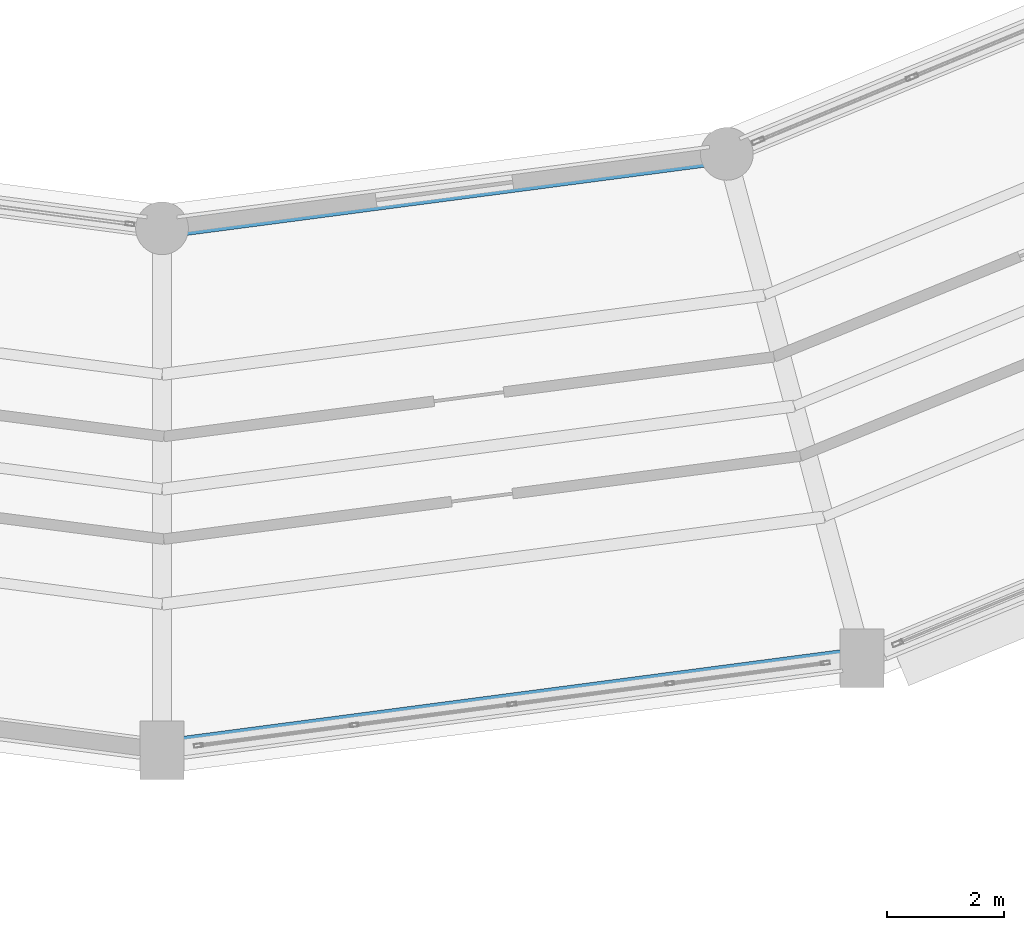
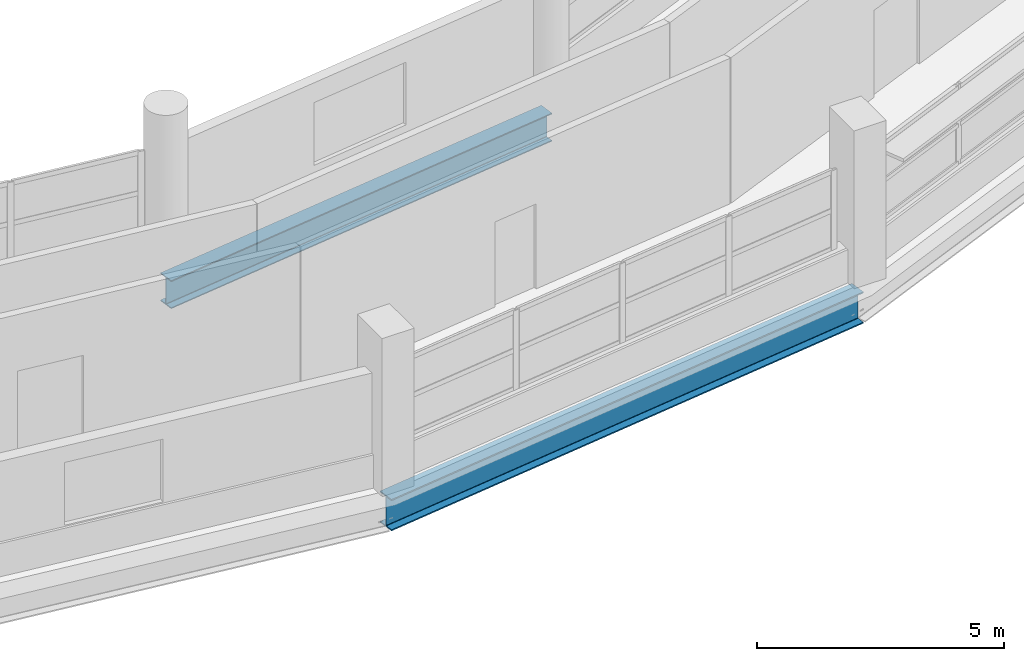
# One storey, part 39 of 108: 2 beams.
"""IFC4 building model written with IfcOpenShell, lengths in metres."""

from ifc_helpers import new_model, si_unit, direction, frame, origin, origin_2d, place, context, subcontext, project, spatial, i_section, extrude, material, material_profile, profile_set, type_object, element, save


model = new_model("IFC4")

# Units and contexts
model_context = context("Model", 3, precision=1e-05, world=origin(), true_north=direction((0.0, 1.0)))
body_context = subcontext(model_context, "Body", "Model", "MODEL_VIEW")
ifc_project = project(units=[si_unit("LENGTHUNIT", "METRE"), si_unit("AREAUNIT", "SQUARE_METRE"), si_unit("VOLUMEUNIT", "CUBIC_METRE"), si_unit("PLANEANGLEUNIT", "RADIAN"), si_unit("MASSUNIT", "GRAM", prefix="KILO")], contexts=[model_context])

# Site, building, storey
site_placement = place(None, origin())
site = spatial("IfcSite", under=ifc_project, at=site_placement, CompositionType="ELEMENT")
building_placement = place(site_placement, origin())
building = spatial("IfcBuilding", under=site, at=building_placement, Name="Vespera Passage Community Centre", CompositionType="ELEMENT")
storey_placement = place(building_placement, frame((0.0, 0.0, 12.60009765625)))
storey = spatial("IfcBuildingStorey", under=building, at=storey_placement, Name="L03", CompositionType="ELEMENT", Elevation=12.60009765625)

# Beams
ifc_material_1 = material(Name="Steel ASTM A992 Grade 50", Category="steel")
ifc_material_profile_1 = material_profile(ifc_material_1, i_section(OverallWidth=0.3544921875, OverallDepth=0.695556640625, WebThickness=0.015380859375, FlangeThickness=0.024658203125, FilletRadius=0.01513671875, at=origin_2d()), Name="W27X146")
ifc_profile_set_1 = profile_set([ifc_material_profile_1], Name="Steel ASTM A992 Grade 50")
beam_type_1 = type_object("IfcBeamType", Name="BM-SP-W27X146E", PredefinedType="SPANDREL", material=ifc_profile_set_1)
beam_1_placement = place(storey_placement, frame((78.0, 28.300048828125, -0.747802734375), z_axis=(0.991444794834, 0.130526697639, 0.0), x_axis=(-0.130526697639, 0.991444794834, 0.0)))
element("IfcBeam", 1, at=beam_1_placement, inside=storey, type_object=beam_type_1, Name="V4 L03 Inner Spandrel 18", PredefinedType="SPANDREL", context=body_context, shape_type="SweptSolid", body=[
    extrude(i_section(OverallWidth=0.3544921875, OverallDepth=0.695556640625, WebThickness=0.015380859375, FlangeThickness=0.024658203125, FilletRadius=0.01513671875, at=origin_2d()), origin(), (0.0, 0.0, 1.0), 9.711181640625),
])
ifc_material_2 = material(Name="Steel ASTM A992 Grade 50", Category="steel")
ifc_material_profile_2 = material_profile(ifc_material_2, i_section(OverallWidth=0.382080078125, OverallDepth=0.779296875, WebThickness=0.01806640625, FlangeThickness=0.030029296875, FilletRadius=0.0166015625, at=origin_2d()), Name="W30X191")
ifc_profile_set_2 = profile_set([ifc_material_profile_2], Name="Steel ASTM A992 Grade 50")
beam_type_2 = type_object("IfcBeamType", Name="BM-SP-W30X191E", PredefinedType="SPANDREL", material=ifc_profile_set_2)
beam_2_placement = place(storey_placement, frame((78.0, 19.39990234375, -0.789794921875), z_axis=(0.991445178667, 0.130523782115, 0.0), x_axis=(-0.130523782115, 0.991445178667, 0.0)))
element("IfcBeam", 2, at=beam_2_placement, inside=storey, type_object=beam_type_2, Name="V4 L03 Outer Spandrel 18", PredefinedType="SPANDREL", context=body_context, shape_type="SweptSolid", body=[
    extrude(i_section(OverallWidth=0.382080078125, OverallDepth=0.779296875, WebThickness=0.01806640625, FlangeThickness=0.030029296875, FilletRadius=0.0166015625, at=origin_2d()), origin(), (0.0, 0.0, 1.0), 12.03466796875),
])

save(model, "model.ifc")
